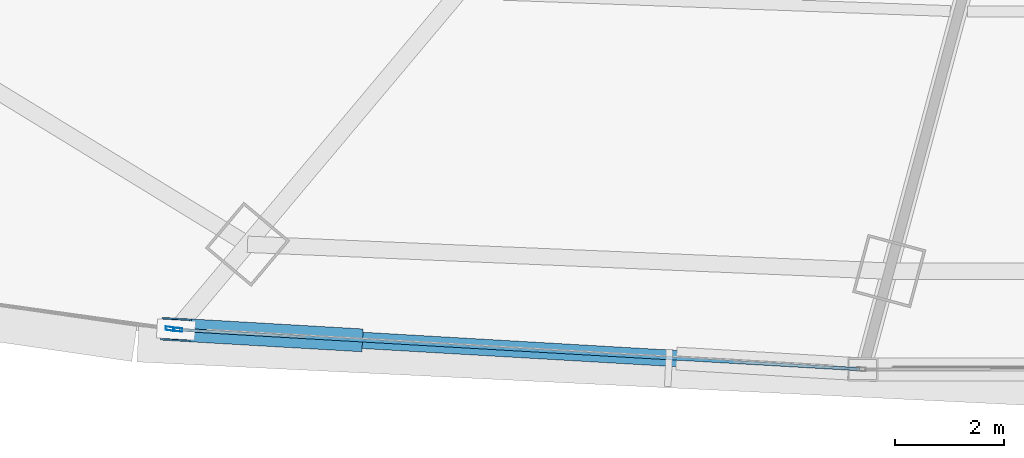
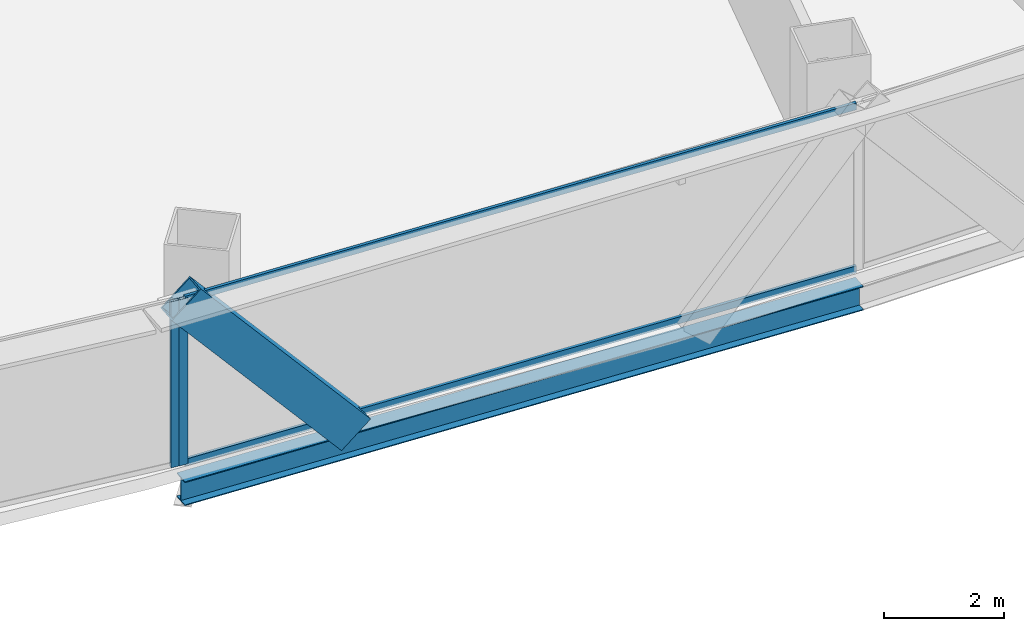
# One storey, part 6 of 38: 5 members, 1 beam, 2 elements without a shape of their own.
"""IFC4 building model written with IfcOpenShell, lengths in metres."""

from ifc_helpers import new_model, si_unit, direction, frame, origin, origin_2d, place, context, subcontext, project, spatial, hollow_rectangle, i_section, extrude, source, transform, mapped, material, layer, layer_set, material_profile, profile_set, type_object, element, aggregate, save


model = new_model("IFC4")

# Units and contexts
model_context = context("Model", 3, precision=1e-05, world=origin(), true_north=direction((0.0, 1.0)))
body_context = subcontext(model_context, "Body", "Model", "MODEL_VIEW")
ifc_project = project(units=[si_unit("LENGTHUNIT", "METRE"), si_unit("AREAUNIT", "SQUARE_METRE"), si_unit("VOLUMEUNIT", "CUBIC_METRE"), si_unit("PLANEANGLEUNIT", "RADIAN"), si_unit("MASSUNIT", "GRAM", prefix="KILO"), si_unit("THERMODYNAMICTEMPERATUREUNIT", "KELVIN"), si_unit("POWERUNIT", "WATT")], contexts=[model_context])

# Site, building, storey
site_placement = place(None, origin())
site = spatial("IfcSite", under=ifc_project, at=site_placement, CompositionType="ELEMENT")
building_placement = place(site_placement, origin())
building = spatial("IfcBuilding", under=site, at=building_placement, Name="Yunzhuo Pagoda Commons", CompositionType="ELEMENT")
storey_placement = place(building_placement, frame((0.0, 0.0, 30.39990234375)))
storey = spatial("IfcBuildingStorey", under=building, at=storey_placement, Name="L07", CompositionType="ELEMENT", Elevation=30.39990234375)

# Beam
ifc_material_1 = material(Name="Structural steel Q355B", Category="steel")
ifc_material_profile_1 = material_profile(ifc_material_1, i_section(OverallWidth=0.300048828125, OverallDepth=0.488037109375, WebThickness=0.010986328125, FlangeThickness=0.01806640625, at=origin_2d()), Name="Structural steel Q355B")
ifc_profile_set_1 = profile_set([ifc_material_profile_1], Name="Structural steel Q355B")
beam_type = type_object("IfcBeamType", Name="B-SP1 Beam HM 488x300x11x18", PredefinedType="BEAM", material=ifc_profile_set_1)
shared_shape_1 = source(origin(), body_context, "Body", "SweptSolid", [
    extrude(i_section(OverallWidth=0.300048828125, OverallDepth=0.488037109375, WebThickness=0.010986328125, FlangeThickness=0.01806640625, at=origin_2d()), origin(), (0.0, 0.0, 1.0), 12.630615234375),
])
beam_placement = place(storey_placement, frame((29.18701171875, 11.279541015625, -0.50390625), z_axis=(0.998321766978, -0.05791070349, 0.0), x_axis=(0.05791070349, 0.998321766978, 0.0)))
element("IfcBeam", 1, at=beam_placement, inside=storey, type_object=beam_type, Name="L07 facade edge spandrel beam F1.1", PredefinedType="BEAM", context=body_context, shape_type="MappedRepresentation", body=[
    mapped(shared_shape_1, transform((0.0, 0.0, 0.0), scale=1.0)),
])

# Member
ifc_material_2 = material(Name="Structural steel Q420B", Category="steel")
ifc_material_profile_2 = material_profile(ifc_material_2, hollow_rectangle(XDim=0.419921875, YDim=0.719970703125, WallThickness=0.028076171875, at=origin_2d()), Name="Structural steel Q420B")
ifc_profile_set_2 = profile_set([ifc_material_profile_2], Name="Structural steel Q420B")
member_type_1 = type_object("IfcMemberType", Name="M-DL1 Brace BOX 720x420x28", PredefinedType="BRACE", material=ifc_profile_set_2)
shared_shape_2 = source(origin(), body_context, "Body", "SweptSolid", [
    extrude(hollow_rectangle(XDim=0.419921875, YDim=0.719970703125, WallThickness=0.028076171875, at=origin_2d()), origin(), (0.0, 0.0, 1.0), 4.8115234375),
])
member_1_placement = place(storey_placement, frame((32.339599609375, 11.0966796875, -0.260009765625), z_axis=(-0.655200800206, 0.038003980435, 0.754498249753), x_axis=(-0.057906233846, -0.998322026243, 0.0)))
element("IfcMember", 2, at=member_1_placement, inside=storey, type_object=member_type_1, Name="L07 facade diamond brace F1.1L", PredefinedType="BRACE", context=body_context, shape_type="MappedRepresentation", body=[
    mapped(shared_shape_2, transform((0.0, 0.0, 0.0), scale=1.0)),
])

# Curtain wall, member
ifc_material_3 = material(Name="Anodized aluminium 6063-T6", Category="aluminium")
ifc_layer = layer(ifc_material_3, 0.1650390625)
ifc_layer_set = layer_set([ifc_layer], Name="Anodized aluminium 6063-T6")
curtain_wall_type = type_object("IfcCurtainWallType", Name="CW-LOW Low-Zone Ribbon Curtain Wall", PredefinedType="NOTDEFINED", material=ifc_layer_set)
curtain_wall_1_placement = place(storey_placement, origin())
curtain_wall_1 = element("IfcCurtainWall", 3, at=curtain_wall_1_placement, inside=storey, type_object=curtain_wall_type, Name="L07 curtain wall CW-L07-F1B2", PredefinedType="NOTDEFINED")
ifc_material_profile_3 = material_profile(ifc_material_3, hollow_rectangle(XDim=0.06494140625, YDim=0.1650390625, WallThickness=0.00390625, at=origin_2d()), Name="Anodized aluminium 6063-T6")
ifc_profile_set_3 = profile_set([ifc_material_profile_3], Name="Anodized aluminium 6063-T6")
member_type_2 = type_object("IfcMemberType", Name="CW-LOW-M Mullion RHS 165x65x4", PredefinedType="MULLION", material=ifc_profile_set_3)
shared_shape_3 = source(origin(), body_context, "Body", "SweptSolid", [
    extrude(hollow_rectangle(XDim=0.06494140625, YDim=0.1650390625, WallThickness=0.00390625, at=origin_2d()), origin(), (0.0, 0.0, 1.0), 3.370361328125),
])
member_2_placement = place(storey_placement, frame((29.219482421875, 11.277587890625, 0.0), z_axis=(0.0, 0.0, 1.0), x_axis=(0.05789866519, 0.998322465223, 0.0)))
member_2 = element("IfcMember", 4, at=member_2_placement, type_object=member_type_2, Name="CW mullion 1", PredefinedType="MULLION", context=body_context, shape_type="MappedRepresentation", body=[
    mapped(shared_shape_3, transform((0.0, 0.0, 0.0), scale=1.0)),
])

curtain_wall_2_placement = place(storey_placement, origin())
curtain_wall_2 = element("IfcCurtainWall", 5, at=curtain_wall_2_placement, inside=storey, type_object=curtain_wall_type, Name="L07 curtain wall CW-L07-F1B1", PredefinedType="NOTDEFINED")
member_3_placement = place(storey_placement, frame((29.08056640625, 11.29443359375, 0.0), z_axis=(0.0, 0.0, 1.0), x_axis=(0.138293641491, 0.99039127052, 0.0)))
member_3 = element("IfcMember", 6, at=member_3_placement, type_object=member_type_2, Name="CW mullion 2", PredefinedType="MULLION", context=body_context, shape_type="MappedRepresentation", body=[
    mapped(shared_shape_3, transform((0.0, 0.0, 0.0), scale=1.0)),
])
aggregate(curtain_wall_2, [member_3])

# Member
ifc_material_profile_4 = material_profile(ifc_material_3, hollow_rectangle(XDim=0.06005859375, YDim=0.139892578125, WallThickness=0.00341796875, at=origin_2d()), Name="Anodized aluminium 6063-T6")
ifc_profile_set_4 = profile_set([ifc_material_profile_4], Name="Anodized aluminium 6063-T6")
member_type_3 = type_object("IfcMemberType", Name="CW-LOW-T Transom RHS 140x60x3.5", PredefinedType="USERDEFINED", material=ifc_profile_set_4)
shared_shape_4 = source(origin(), body_context, "Body", "SweptSolid", [
    extrude(hollow_rectangle(XDim=0.06005859375, YDim=0.139892578125, WallThickness=0.00341796875, at=origin_2d()), origin(), (0.0, 0.0, 1.0), 12.5009765625),
])
member_4_placement = place(storey_placement, frame((29.251953125, 11.275634765625, 0.030029296875), z_axis=(0.998323184506, -0.057886261569, 0.0), x_axis=(0.057886261569, 0.998323184506, 0.0)))
member_4 = element("IfcMember", 7, at=member_4_placement, type_object=member_type_3, Name="CW transom 1.1", ObjectType="TRANSOM", PredefinedType="USERDEFINED", context=body_context, shape_type="MappedRepresentation", body=[
    mapped(shared_shape_4, transform((0.0, 0.0, 0.0), scale=1.0)),
])

member_5_placement = place(storey_placement, frame((29.251953125, 11.275634765625, 3.340087890625), z_axis=(0.998323184506, -0.057886261569, 0.0), x_axis=(0.057886261569, 0.998323184506, 0.0)))
member_5 = element("IfcMember", 8, at=member_5_placement, type_object=member_type_3, Name="CW transom 1.2", ObjectType="TRANSOM", PredefinedType="USERDEFINED", context=body_context, shape_type="MappedRepresentation", body=[
    mapped(shared_shape_4, transform((0.0, 0.0, 0.0), scale=1.0)),
])

aggregate(curtain_wall_1, [member_2, member_4, member_5])

save(model, "model.ifc")
